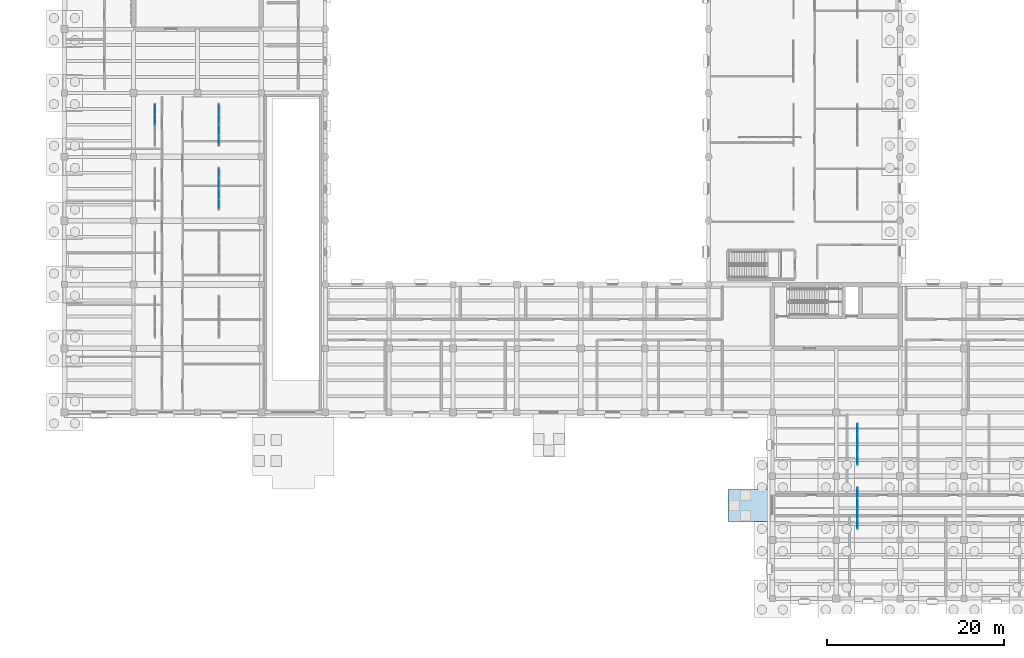
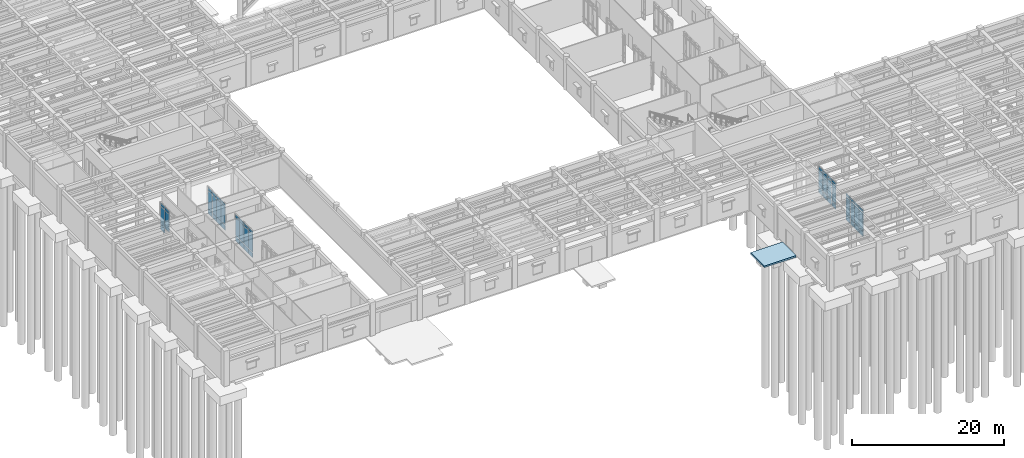
# One storey, part 51 of 100: 53 plates, 1 slab, 5 elements without a shape of their own.
"""IFC4 building model written with IfcOpenShell, lengths in metres."""

import ifcopenshell
import ifcopenshell.guid

model = None  # the IFC model being written
_history = None  # IfcOwnerHistory: only IFC2X3 demands one
_inside = {}  # id of a spatial element -> (the spatial element, [elements in it])
_under = {}  # id of a project, library or spatial element -> (it, [spatial elements below it])
_declared = {}  # id of a project -> (the project, [libraries it declares])
_typed = {}  # id of a type object -> (the type object, [elements of that type])
_made_of = {}  # id of a material, layer set ... -> (it, [elements and type objects made of it])


def new_model(schema):
    """Start an empty IFC model of exactly this schema.

    Asked for "IFC4X3", IfcOpenShell would pick the latest addendum, in which some entities
    have other attributes; the version numbers below select the first issue.
    IFC2X3 requires an IfcOwnerHistory on every rooted entity: one is made here for all.
    """
    global model, _history
    if schema == "IFC4X3":
        model = ifcopenshell.file(schema_version=(4, 3, 0, 0))
    else:
        model = ifcopenshell.file(schema=schema)
    _inside.clear()
    _under.clear()
    _declared.clear()
    _typed.clear()
    _made_of.clear()
    _history = None
    if model.schema == "IFC2X3":
        org = make("IfcOrganization", Name="unknown")
        user = make(
            "IfcPersonAndOrganization",
            ThePerson=make("IfcPerson", FamilyName="unknown"),
            TheOrganization=org,
        )
        app = make(
            "IfcApplication",
            ApplicationDeveloper=org,
            Version="unknown",
            ApplicationFullName="unknown",
            ApplicationIdentifier="unknown",
        )
        _history = make(
            "IfcOwnerHistory",
            OwningUser=user,
            OwningApplication=app,
            ChangeAction="ADDED",
            CreationDate=0,
        )
    return model


def make(cls, **values):
    """One entity of the class cls with the attributes given. An attribute that is None is left unset."""
    return model.create_entity(
        cls, **{name: value for name, value in values.items() if value is not None}
    )


def rooted(cls, **values):
    """An entity with a GlobalId (a new one), such as an element, a storey or a relation."""
    return make(cls, GlobalId=ifcopenshell.guid.new(), OwnerHistory=_history, **values)


def si_unit(unit_type, name, prefix=None):
    """IfcSIUnit, for example si_unit("LENGTHUNIT", "METRE", prefix="MILLI")."""
    return make("IfcSIUnit", UnitType=unit_type, Prefix=prefix, Name=name)


def assignment(units):
    """IfcUnitAssignment: the units of a project."""
    return None if units is None else make("IfcUnitAssignment", Units=units)


def point(xyz):
    """IfcCartesianPoint."""
    return None if xyz is None else make("IfcCartesianPoint", Coordinates=xyz)


def direction(xyz):
    """IfcDirection."""
    return None if xyz is None else make("IfcDirection", DirectionRatios=xyz)


def frame(location, z_axis=None, x_axis=None):
    """IfcAxis2Placement3D, a coordinate frame: its origin and axes. An axis left out is left unset."""
    return make(
        "IfcAxis2Placement3D",
        Location=point(location),
        Axis=direction(z_axis),
        RefDirection=direction(x_axis),
    )


def frame_2d(location, x_axis=None):
    """IfcAxis2Placement2D, a coordinate frame in the plane: its origin and x axis."""
    return make(
        "IfcAxis2Placement2D", Location=point(location), RefDirection=direction(x_axis)
    )


def origin():
    """The frame at (0, 0, 0) with its axes left unset."""
    return frame((0.0, 0.0, 0.0))


def origin_2d():
    """The frame at (0, 0) in the plane with its x axis left unset."""
    return frame_2d((0.0, 0.0))


def place(relative_to, where):
    """IfcLocalPlacement: puts the frame where relative to a parent placement (None: the world)."""
    return make(
        "IfcLocalPlacement", PlacementRelTo=relative_to, RelativePlacement=where
    )


def context(
    kind, dimensions, precision=None, world=None, true_north=None, identifier=None
):
    """IfcGeometricRepresentationContext, for example the 3D "Model" context."""
    return make(
        "IfcGeometricRepresentationContext",
        ContextIdentifier=identifier,
        ContextType=kind,
        CoordinateSpaceDimension=dimensions,
        Precision=precision,
        WorldCoordinateSystem=world,
        TrueNorth=true_north,
    )


def subcontext(parent, identifier, kind, view, scale=None):
    """IfcGeometricRepresentationSubContext, for example "Body" below "Model"."""
    return make(
        "IfcGeometricRepresentationSubContext",
        ContextIdentifier=identifier,
        ContextType=kind,
        ParentContext=parent,
        TargetScale=scale,
        TargetView=view,
    )


def project(units=None, contexts=None):
    """IfcProject with its units and contexts."""
    return rooted(
        "IfcProject",
        Name="project",
        RepresentationContexts=contexts,
        UnitsInContext=assignment(units),
    )


def spatial(cls, under=None, at=None, **own):
    """A site, building, storey or space (cls), placed at a placement, below another one or the project."""
    s = rooted(cls, ObjectPlacement=at, **own)
    if under is not None:
        _under.setdefault(under.id(), (under, []))[1].append(s)
    return s


def polyline(points):
    """IfcPolyline through the points."""
    return make("IfcPolyline", Points=[point(p) for p in points])


def profile(cls, at=None, kind="AREA", **sizes):
    """A parametric profile (cls). Its sizes go by their IFC names, for example OverallWidth=200.0."""
    return make(cls, ProfileType=kind, Position=at, **sizes)


def rectangle(**sizes):
    """IfcRectangleProfileDef."""
    return profile("IfcRectangleProfileDef", **sizes)


def outline(outer, holes=None, kind="AREA"):
    """IfcArbitraryClosedProfileDef: a profile drawn as a closed curve; with holes, ...WithVoids."""
    if holes is None:
        return make("IfcArbitraryClosedProfileDef", ProfileType=kind, OuterCurve=outer)
    return make(
        "IfcArbitraryProfileDefWithVoids",
        ProfileType=kind,
        OuterCurve=outer,
        InnerCurves=holes,
    )


def extrude(swept, where, along, depth):
    """IfcExtrudedAreaSolid: the profile swept, set in the frame where, extruded along a direction by depth."""
    return make(
        "IfcExtrudedAreaSolid",
        SweptArea=swept,
        Position=where,
        ExtrudedDirection=direction(along),
        Depth=depth,
    )


def shape(context_of_items, identifier, shape_type, items):
    """IfcShapeRepresentation: the items that make up one representation, for example the "Body"."""
    return make(
        "IfcShapeRepresentation",
        ContextOfItems=context_of_items,
        RepresentationIdentifier=identifier,
        RepresentationType=shape_type,
        Items=items,
    )


def material(Name=None, Category=None):
    """IfcMaterial."""
    return make("IfcMaterial", Name=Name, Category=Category)


def layer(
    of_material, thickness, ventilated=None, Name=None, Category=None, Priority=None
):
    """IfcMaterialLayer: one layer of a wall or slab, of a material (None: an air gap)."""
    return make(
        "IfcMaterialLayer",
        Material=of_material,
        LayerThickness=thickness,
        IsVentilated=ventilated,
        Name=Name,
        Category=Category,
        Priority=Priority,
    )


def layer_set(layers, Name=None):
    """IfcMaterialLayerSet."""
    return make("IfcMaterialLayerSet", MaterialLayers=layers, LayerSetName=Name)


def made_of(thing, what):
    """Note that an element or type object is made of a material, layer set ...; save() writes the relation."""
    if what is not None:
        _made_of.setdefault(what.id(), (what, []))[1].append(thing)
    return thing


def type_object(cls, material=None, **own):
    """A type object (cls), such as IfcWallType, which elements share."""
    return made_of(rooted(cls, **own), material)


def element(
    cls,
    number,
    at=None,
    inside=None,
    cuts=None,
    type_object=None,
    material=None,
    context=None,
    identifier="Body",
    shape_type=None,
    held_by="IfcProductDefinitionShape",
    body=None,
    shapes=None,
    **own,
):
    """One element of the class cls, such as IfcWall. Its Tag is "e" and its number.

    at: its placement. inside: the storey or other place that contains it. cuts: it is an
    opening in that element (IfcRelVoidsElement). A single representation is given by context,
    identifier, shape_type and body (its items); several are given by shapes. held_by: the class
    of the entity that holds the representations. save() writes the other relations.
    """
    e = rooted(cls, Tag="e%d" % number, ObjectPlacement=at, **own)
    if body is not None:
        shapes = [shape(context, identifier, shape_type, body)]
    if shapes is not None:
        e.Representation = make(held_by, Representations=shapes)
    if inside is not None:
        _inside.setdefault(inside.id(), (inside, []))[1].append(e)
    if cuts is not None:
        rooted(
            "IfcRelVoidsElement", RelatingBuildingElement=cuts, RelatedOpeningElement=e
        )
    if type_object is not None:
        _typed.setdefault(type_object.id(), (type_object, []))[1].append(e)
    return made_of(e, material)


def aggregate(whole, parts):
    """IfcRelAggregates: a whole, such as a stair, and the parts it consists of."""
    return rooted("IfcRelAggregates", RelatingObject=whole, RelatedObjects=parts)


def save(model, path):
    """Write the relations noted so far, then the file.

    IfcRelAggregates (storeys below a building ...), IfcRelContainedInSpatialStructure (elements
    in a storey), IfcRelDefinesByType, IfcRelAssociatesMaterial and IfcRelDeclares: one each for
    every whole, place, type object, material and project.
    """
    for whole, parts in _under.values():
        aggregate(whole, parts)
    for where, things in _inside.values():
        rooted(
            "IfcRelContainedInSpatialStructure",
            RelatedElements=things,
            RelatingStructure=where,
        )
    for kind, things in _typed.values():
        rooted("IfcRelDefinesByType", RelatedObjects=things, RelatingType=kind)
    for what, things in _made_of.values():
        rooted("IfcRelAssociatesMaterial", RelatedObjects=things, RelatingMaterial=what)
    for by, libraries in _declared.values():
        rooted("IfcRelDeclares", RelatingContext=by, RelatedDefinitions=libraries)
    model.write(path)


model = new_model("IFC4")

# Units and contexts
model_context = context("Model", 3, precision=1e-05, world=origin(), true_north=direction((0.0, 1.0)))
body_context = subcontext(model_context, "Body", "Model", "MODEL_VIEW")
ifc_project = project(units=[si_unit("LENGTHUNIT", "METRE"), si_unit("AREAUNIT", "SQUARE_METRE"), si_unit("VOLUMEUNIT", "CUBIC_METRE"), si_unit("PLANEANGLEUNIT", "RADIAN"), si_unit("MASSUNIT", "GRAM", prefix="KILO")], contexts=[model_context])

# Site, building, storey
site_placement = place(None, origin())
site = spatial("IfcSite", under=ifc_project, at=site_placement, CompositionType="ELEMENT")
building_placement = place(site_placement, origin())
building = spatial("IfcBuilding", under=site, at=building_placement, Name="Mithqara Police Headquarters", CompositionType="ELEMENT")
storey_placement = place(building_placement, origin())
storey = spatial("IfcBuildingStorey", under=building, at=storey_placement, Name="L00", CompositionType="ELEMENT", Elevation=0.0)

# Curtain wall, plates
ifc_material_1 = material(Name="Bronze anodised aluminium 6063-T6", Category="aluminium")
curtain_wall_type = type_object("IfcCurtainWallType", Name="CURTAIN WALL 4700X4400", PredefinedType="USERDEFINED", material=ifc_material_1)
curtain_wall_1_placement = place(storey_placement, origin())
curtain_wall_1 = element("IfcCurtainWall", 1, at=curtain_wall_1_placement, inside=storey, type_object=curtain_wall_type, Name="L00 Unitised Glazing CW-14 (CW-INT-L00-X01-Y07-0)", ObjectType="UNITISED GLAZING", PredefinedType="USERDEFINED")
ifc_material_2 = material(Name="Spectrally selective double low-e glass", Category="glass")
ifc_layer_1 = layer(ifc_material_2, 0.028076171875, Name="Spectrally selective double low-e glass")
ifc_layer_set_1 = layer_set([ifc_layer_1], Name="Spectrally selective double low-e glass")
plate_type = type_object("IfcPlateType", Name="CWPANEL GLASS28", PredefinedType="CURTAIN_PANEL", material=ifc_layer_set_1)
plate_1_placement = place(storey_placement, frame((10.199951171875, 53.987548828125, 0.9375), z_axis=(0.0, 0.0, 1.0), x_axis=(0.0, 1.0, 0.0)))
plate_1 = element("IfcPlate", 2, at=plate_1_placement, type_object=plate_type, Name="CW-14 panel 3.2", PredefinedType="CURTAIN_PANEL", context=body_context, shape_type="SweptSolid", body=[
    extrude(rectangle(XDim=1.10009765625, YDim=0.028076171875, at=origin_2d()), origin(), (0.0, 0.0, 1.0), 2.875),
])
plate_2_placement = place(storey_placement, frame((10.199951171875, 53.987548828125, 3.887451171875), z_axis=(0.0, 0.0, 1.0), x_axis=(0.0, 1.0, 0.0)))
plate_2 = element("IfcPlate", 3, at=plate_2_placement, type_object=plate_type, Name="CW-14 panel 3.3", PredefinedType="CURTAIN_PANEL", context=body_context, shape_type="SweptSolid", body=[
    extrude(rectangle(XDim=1.10009765625, YDim=0.028076171875, at=origin_2d()), origin(), (0.0, 0.0, 1.0), 0.4375),
])
plate_3_placement = place(storey_placement, frame((10.199951171875, 55.143798828125, 0.074951171875), z_axis=(0.0, 0.0, 1.0), x_axis=(0.0, 1.0, 0.0)))
plate_3 = element("IfcPlate", 4, at=plate_3_placement, type_object=plate_type, Name="CW-14 panel 4.1", PredefinedType="CURTAIN_PANEL", context=body_context, shape_type="SweptSolid", body=[
    extrude(rectangle(XDim=1.0625, YDim=0.028076171875, at=origin_2d()), origin(), (0.0, 0.0, 1.0), 0.78759765625),
])
plate_4_placement = place(storey_placement, frame((10.199951171875, 55.143798828125, 0.9375), z_axis=(0.0, 0.0, 1.0), x_axis=(0.0, 1.0, 0.0)))
plate_4 = element("IfcPlate", 5, at=plate_4_placement, type_object=plate_type, Name="CW-14 panel 4.2", PredefinedType="CURTAIN_PANEL", context=body_context, shape_type="SweptSolid", body=[
    extrude(rectangle(XDim=1.0625, YDim=0.028076171875, at=origin_2d()), origin(), (0.0, 0.0, 1.0), 2.875),
])
plate_5_placement = place(storey_placement, frame((10.199951171875, 55.143798828125, 3.887451171875), z_axis=(0.0, 0.0, 1.0), x_axis=(0.0, 1.0, 0.0)))
plate_5 = element("IfcPlate", 6, at=plate_5_placement, type_object=plate_type, Name="CW-14 panel 4.3", PredefinedType="CURTAIN_PANEL", context=body_context, shape_type="SweptSolid", body=[
    extrude(rectangle(XDim=1.0625, YDim=0.028076171875, at=origin_2d()), origin(), (0.0, 0.0, 1.0), 0.4375),
])
aggregate(curtain_wall_1, [plate_1, plate_2, plate_3, plate_4, plate_5])

curtain_wall_2_placement = place(storey_placement, origin())
curtain_wall_2 = element("IfcCurtainWall", 7, at=curtain_wall_2_placement, inside=storey, type_object=curtain_wall_type, Name="L00 Unitised Glazing CW-14 (CW-INT-L00-X02-Y06-0)", ObjectType="UNITISED GLAZING", PredefinedType="USERDEFINED")
plate_6_placement = place(storey_placement, frame((17.39990234375, 44.456298828125, 0.074951171875), z_axis=(0.0, 0.0, 1.0), x_axis=(0.0, 1.0, 0.0)))
plate_6 = element("IfcPlate", 8, at=plate_6_placement, type_object=plate_type, Name="CW-14 panel 1.1", PredefinedType="CURTAIN_PANEL", context=body_context, shape_type="SweptSolid", body=[
    extrude(rectangle(XDim=1.0625, YDim=0.028076171875, at=origin_2d()), origin(), (0.0, 0.0, 1.0), 0.78759765625),
])
plate_7_placement = place(storey_placement, frame((17.39990234375, 44.456298828125, 0.9375), z_axis=(0.0, 0.0, 1.0), x_axis=(0.0, 1.0, 0.0)))
plate_7 = element("IfcPlate", 9, at=plate_7_placement, type_object=plate_type, Name="CW-14 panel 1.2", PredefinedType="CURTAIN_PANEL", context=body_context, shape_type="SweptSolid", body=[
    extrude(rectangle(XDim=1.0625, YDim=0.028076171875, at=origin_2d()), origin(), (0.0, 0.0, 1.0), 2.875),
])
plate_8_placement = place(storey_placement, frame((17.39990234375, 44.456298828125, 3.887451171875), z_axis=(0.0, 0.0, 1.0), x_axis=(0.0, 1.0, 0.0)))
plate_8 = element("IfcPlate", 10, at=plate_8_placement, type_object=plate_type, Name="CW-14 panel 1.3", PredefinedType="CURTAIN_PANEL", context=body_context, shape_type="SweptSolid", body=[
    extrude(rectangle(XDim=1.0625, YDim=0.028076171875, at=origin_2d()), origin(), (0.0, 0.0, 1.0), 0.4375),
])
plate_9_placement = place(storey_placement, frame((17.39990234375, 45.612548828125, 0.074951171875), z_axis=(0.0, 0.0, 1.0), x_axis=(0.0, 1.0, 0.0)))
plate_9 = element("IfcPlate", 11, at=plate_9_placement, type_object=plate_type, Name="CW-14 panel 2.1", PredefinedType="CURTAIN_PANEL", context=body_context, shape_type="SweptSolid", body=[
    extrude(rectangle(XDim=1.10009765625, YDim=0.028076171875, at=origin_2d()), origin(), (0.0, 0.0, 1.0), 0.78759765625),
])
plate_10_placement = place(storey_placement, frame((17.39990234375, 45.612548828125, 0.9375), z_axis=(0.0, 0.0, 1.0), x_axis=(0.0, 1.0, 0.0)))
plate_10 = element("IfcPlate", 12, at=plate_10_placement, type_object=plate_type, Name="CW-14 panel 2.2", PredefinedType="CURTAIN_PANEL", context=body_context, shape_type="SweptSolid", body=[
    extrude(rectangle(XDim=1.10009765625, YDim=0.028076171875, at=origin_2d()), origin(), (0.0, 0.0, 1.0), 2.875),
])
plate_11_placement = place(storey_placement, frame((17.39990234375, 45.612548828125, 3.887451171875), z_axis=(0.0, 0.0, 1.0), x_axis=(0.0, 1.0, 0.0)))
plate_11 = element("IfcPlate", 13, at=plate_11_placement, type_object=plate_type, Name="CW-14 panel 2.3", PredefinedType="CURTAIN_PANEL", context=body_context, shape_type="SweptSolid", body=[
    extrude(rectangle(XDim=1.10009765625, YDim=0.028076171875, at=origin_2d()), origin(), (0.0, 0.0, 1.0), 0.4375),
])
plate_12_placement = place(storey_placement, frame((17.39990234375, 46.78759765625, 0.074951171875), z_axis=(0.0, 0.0, 1.0), x_axis=(0.0, 1.0, 0.0)))
plate_12 = element("IfcPlate", 14, at=plate_12_placement, type_object=plate_type, Name="CW-14 panel 3.1", PredefinedType="CURTAIN_PANEL", context=body_context, shape_type="SweptSolid", body=[
    extrude(rectangle(XDim=1.10009765625, YDim=0.028076171875, at=origin_2d()), origin(), (0.0, 0.0, 1.0), 0.78759765625),
])
plate_13_placement = place(storey_placement, frame((17.39990234375, 46.78759765625, 0.9375), z_axis=(0.0, 0.0, 1.0), x_axis=(0.0, 1.0, 0.0)))
plate_13 = element("IfcPlate", 15, at=plate_13_placement, type_object=plate_type, Name="CW-14 panel 3.2", PredefinedType="CURTAIN_PANEL", context=body_context, shape_type="SweptSolid", body=[
    extrude(rectangle(XDim=1.10009765625, YDim=0.028076171875, at=origin_2d()), origin(), (0.0, 0.0, 1.0), 2.875),
])
plate_14_placement = place(storey_placement, frame((17.39990234375, 46.78759765625, 3.887451171875), z_axis=(0.0, 0.0, 1.0), x_axis=(0.0, 1.0, 0.0)))
plate_14 = element("IfcPlate", 16, at=plate_14_placement, type_object=plate_type, Name="CW-14 panel 3.3", PredefinedType="CURTAIN_PANEL", context=body_context, shape_type="SweptSolid", body=[
    extrude(rectangle(XDim=1.10009765625, YDim=0.028076171875, at=origin_2d()), origin(), (0.0, 0.0, 1.0), 0.4375),
])
plate_15_placement = place(storey_placement, frame((17.39990234375, 47.94384765625, 0.074951171875), z_axis=(0.0, 0.0, 1.0), x_axis=(0.0, 1.0, 0.0)))
plate_15 = element("IfcPlate", 17, at=plate_15_placement, type_object=plate_type, Name="CW-14 panel 4.1", PredefinedType="CURTAIN_PANEL", context=body_context, shape_type="SweptSolid", body=[
    extrude(rectangle(XDim=1.0625, YDim=0.028076171875, at=origin_2d()), origin(), (0.0, 0.0, 1.0), 0.78759765625),
])
plate_16_placement = place(storey_placement, frame((17.39990234375, 47.94384765625, 0.9375), z_axis=(0.0, 0.0, 1.0), x_axis=(0.0, 1.0, 0.0)))
plate_16 = element("IfcPlate", 18, at=plate_16_placement, type_object=plate_type, Name="CW-14 panel 4.2", PredefinedType="CURTAIN_PANEL", context=body_context, shape_type="SweptSolid", body=[
    extrude(rectangle(XDim=1.0625, YDim=0.028076171875, at=origin_2d()), origin(), (0.0, 0.0, 1.0), 2.875),
])
plate_17_placement = place(storey_placement, frame((17.39990234375, 47.94384765625, 3.887451171875), z_axis=(0.0, 0.0, 1.0), x_axis=(0.0, 1.0, 0.0)))
plate_17 = element("IfcPlate", 19, at=plate_17_placement, type_object=plate_type, Name="CW-14 panel 4.3", PredefinedType="CURTAIN_PANEL", context=body_context, shape_type="SweptSolid", body=[
    extrude(rectangle(XDim=1.0625, YDim=0.028076171875, at=origin_2d()), origin(), (0.0, 0.0, 1.0), 0.4375),
])
aggregate(curtain_wall_2, [plate_6, plate_7, plate_8, plate_9, plate_10, plate_11, plate_12, plate_13, plate_14, plate_15, plate_16, plate_17])

curtain_wall_3_placement = place(storey_placement, origin())
curtain_wall_3 = element("IfcCurtainWall", 20, at=curtain_wall_3_placement, inside=storey, type_object=curtain_wall_type, Name="L00 Unitised Glazing CW-14 (CW-INT-L00-X02-Y07-0)", ObjectType="UNITISED GLAZING", PredefinedType="USERDEFINED")
plate_18_placement = place(storey_placement, frame((17.39990234375, 51.65625, 0.074951171875), z_axis=(0.0, 0.0, 1.0), x_axis=(0.0, 1.0, 0.0)))
plate_18 = element("IfcPlate", 21, at=plate_18_placement, type_object=plate_type, Name="CW-14 panel 1.1", PredefinedType="CURTAIN_PANEL", context=body_context, shape_type="SweptSolid", body=[
    extrude(rectangle(XDim=1.0625, YDim=0.028076171875, at=origin_2d()), origin(), (0.0, 0.0, 1.0), 0.78759765625),
])
plate_19_placement = place(storey_placement, frame((17.39990234375, 51.65625, 0.9375), z_axis=(0.0, 0.0, 1.0), x_axis=(0.0, 1.0, 0.0)))
plate_19 = element("IfcPlate", 22, at=plate_19_placement, type_object=plate_type, Name="CW-14 panel 1.2", PredefinedType="CURTAIN_PANEL", context=body_context, shape_type="SweptSolid", body=[
    extrude(rectangle(XDim=1.0625, YDim=0.028076171875, at=origin_2d()), origin(), (0.0, 0.0, 1.0), 2.875),
])
plate_20_placement = place(storey_placement, frame((17.39990234375, 51.65625, 3.887451171875), z_axis=(0.0, 0.0, 1.0), x_axis=(0.0, 1.0, 0.0)))
plate_20 = element("IfcPlate", 23, at=plate_20_placement, type_object=plate_type, Name="CW-14 panel 1.3", PredefinedType="CURTAIN_PANEL", context=body_context, shape_type="SweptSolid", body=[
    extrude(rectangle(XDim=1.0625, YDim=0.028076171875, at=origin_2d()), origin(), (0.0, 0.0, 1.0), 0.4375),
])
plate_21_placement = place(storey_placement, frame((17.39990234375, 52.8125, 0.074951171875), z_axis=(0.0, 0.0, 1.0), x_axis=(0.0, 1.0, 0.0)))
plate_21 = element("IfcPlate", 24, at=plate_21_placement, type_object=plate_type, Name="CW-14 panel 2.1", PredefinedType="CURTAIN_PANEL", context=body_context, shape_type="SweptSolid", body=[
    extrude(rectangle(XDim=1.10009765625, YDim=0.028076171875, at=origin_2d()), origin(), (0.0, 0.0, 1.0), 0.78759765625),
])
plate_22_placement = place(storey_placement, frame((17.39990234375, 52.8125, 0.9375), z_axis=(0.0, 0.0, 1.0), x_axis=(0.0, 1.0, 0.0)))
plate_22 = element("IfcPlate", 25, at=plate_22_placement, type_object=plate_type, Name="CW-14 panel 2.2", PredefinedType="CURTAIN_PANEL", context=body_context, shape_type="SweptSolid", body=[
    extrude(rectangle(XDim=1.10009765625, YDim=0.028076171875, at=origin_2d()), origin(), (0.0, 0.0, 1.0), 2.875),
])
plate_23_placement = place(storey_placement, frame((17.39990234375, 52.8125, 3.887451171875), z_axis=(0.0, 0.0, 1.0), x_axis=(0.0, 1.0, 0.0)))
plate_23 = element("IfcPlate", 26, at=plate_23_placement, type_object=plate_type, Name="CW-14 panel 2.3", PredefinedType="CURTAIN_PANEL", context=body_context, shape_type="SweptSolid", body=[
    extrude(rectangle(XDim=1.10009765625, YDim=0.028076171875, at=origin_2d()), origin(), (0.0, 0.0, 1.0), 0.4375),
])
plate_24_placement = place(storey_placement, frame((17.39990234375, 53.987548828125, 0.074951171875), z_axis=(0.0, 0.0, 1.0), x_axis=(0.0, 1.0, 0.0)))
plate_24 = element("IfcPlate", 27, at=plate_24_placement, type_object=plate_type, Name="CW-14 panel 3.1", PredefinedType="CURTAIN_PANEL", context=body_context, shape_type="SweptSolid", body=[
    extrude(rectangle(XDim=1.10009765625, YDim=0.028076171875, at=origin_2d()), origin(), (0.0, 0.0, 1.0), 0.78759765625),
])
plate_25_placement = place(storey_placement, frame((17.39990234375, 53.987548828125, 0.9375), z_axis=(0.0, 0.0, 1.0), x_axis=(0.0, 1.0, 0.0)))
plate_25 = element("IfcPlate", 28, at=plate_25_placement, type_object=plate_type, Name="CW-14 panel 3.2", PredefinedType="CURTAIN_PANEL", context=body_context, shape_type="SweptSolid", body=[
    extrude(rectangle(XDim=1.10009765625, YDim=0.028076171875, at=origin_2d()), origin(), (0.0, 0.0, 1.0), 2.875),
])
plate_26_placement = place(storey_placement, frame((17.39990234375, 53.987548828125, 3.887451171875), z_axis=(0.0, 0.0, 1.0), x_axis=(0.0, 1.0, 0.0)))
plate_26 = element("IfcPlate", 29, at=plate_26_placement, type_object=plate_type, Name="CW-14 panel 3.3", PredefinedType="CURTAIN_PANEL", context=body_context, shape_type="SweptSolid", body=[
    extrude(rectangle(XDim=1.10009765625, YDim=0.028076171875, at=origin_2d()), origin(), (0.0, 0.0, 1.0), 0.4375),
])
plate_27_placement = place(storey_placement, frame((17.39990234375, 55.143798828125, 0.074951171875), z_axis=(0.0, 0.0, 1.0), x_axis=(0.0, 1.0, 0.0)))
plate_27 = element("IfcPlate", 30, at=plate_27_placement, type_object=plate_type, Name="CW-14 panel 4.1", PredefinedType="CURTAIN_PANEL", context=body_context, shape_type="SweptSolid", body=[
    extrude(rectangle(XDim=1.0625, YDim=0.028076171875, at=origin_2d()), origin(), (0.0, 0.0, 1.0), 0.78759765625),
])
plate_28_placement = place(storey_placement, frame((17.39990234375, 55.143798828125, 0.9375), z_axis=(0.0, 0.0, 1.0), x_axis=(0.0, 1.0, 0.0)))
plate_28 = element("IfcPlate", 31, at=plate_28_placement, type_object=plate_type, Name="CW-14 panel 4.2", PredefinedType="CURTAIN_PANEL", context=body_context, shape_type="SweptSolid", body=[
    extrude(rectangle(XDim=1.0625, YDim=0.028076171875, at=origin_2d()), origin(), (0.0, 0.0, 1.0), 2.875),
])
plate_29_placement = place(storey_placement, frame((17.39990234375, 55.143798828125, 3.887451171875), z_axis=(0.0, 0.0, 1.0), x_axis=(0.0, 1.0, 0.0)))
plate_29 = element("IfcPlate", 32, at=plate_29_placement, type_object=plate_type, Name="CW-14 panel 4.3", PredefinedType="CURTAIN_PANEL", context=body_context, shape_type="SweptSolid", body=[
    extrude(rectangle(XDim=1.0625, YDim=0.028076171875, at=origin_2d()), origin(), (0.0, 0.0, 1.0), 0.4375),
])
aggregate(curtain_wall_3, [plate_18, plate_19, plate_20, plate_21, plate_22, plate_23, plate_24, plate_25, plate_26, plate_27, plate_28, plate_29])

curtain_wall_4_placement = place(storey_placement, origin())
curtain_wall_4 = element("IfcCurtainWall", 33, at=curtain_wall_4_placement, inside=storey, type_object=curtain_wall_type, Name="L00 Unitised Glazing CW-14 (CW-INT-L00-X12-Y01-0)", ObjectType="UNITISED GLAZING", PredefinedType="USERDEFINED")
plate_30_placement = place(storey_placement, frame((89.39990234375, 8.456298828125, 0.074951171875), z_axis=(0.0, 0.0, 1.0), x_axis=(0.0, 1.0, 0.0)))
plate_30 = element("IfcPlate", 34, at=plate_30_placement, type_object=plate_type, Name="CW-14 panel 1.1", PredefinedType="CURTAIN_PANEL", context=body_context, shape_type="SweptSolid", body=[
    extrude(rectangle(XDim=1.0625, YDim=0.028076171875, at=origin_2d()), origin(), (0.0, 0.0, 1.0), 0.78759765625),
])
plate_31_placement = place(storey_placement, frame((89.39990234375, 8.456298828125, 0.9375), z_axis=(0.0, 0.0, 1.0), x_axis=(0.0, 1.0, 0.0)))
plate_31 = element("IfcPlate", 35, at=plate_31_placement, type_object=plate_type, Name="CW-14 panel 1.2", PredefinedType="CURTAIN_PANEL", context=body_context, shape_type="SweptSolid", body=[
    extrude(rectangle(XDim=1.0625, YDim=0.028076171875, at=origin_2d()), origin(), (0.0, 0.0, 1.0), 2.875),
])
plate_32_placement = place(storey_placement, frame((89.39990234375, 8.456298828125, 3.887451171875), z_axis=(0.0, 0.0, 1.0), x_axis=(0.0, 1.0, 0.0)))
plate_32 = element("IfcPlate", 36, at=plate_32_placement, type_object=plate_type, Name="CW-14 panel 1.3", PredefinedType="CURTAIN_PANEL", context=body_context, shape_type="SweptSolid", body=[
    extrude(rectangle(XDim=1.0625, YDim=0.028076171875, at=origin_2d()), origin(), (0.0, 0.0, 1.0), 0.4375),
])
plate_33_placement = place(storey_placement, frame((89.39990234375, 9.612548828125, 0.074951171875), z_axis=(0.0, 0.0, 1.0), x_axis=(0.0, 1.0, 0.0)))
plate_33 = element("IfcPlate", 37, at=plate_33_placement, type_object=plate_type, Name="CW-14 panel 2.1", PredefinedType="CURTAIN_PANEL", context=body_context, shape_type="SweptSolid", body=[
    extrude(rectangle(XDim=1.10009765625, YDim=0.028076171875, at=origin_2d()), origin(), (0.0, 0.0, 1.0), 0.78759765625),
])
plate_34_placement = place(storey_placement, frame((89.39990234375, 9.612548828125, 0.9375), z_axis=(0.0, 0.0, 1.0), x_axis=(0.0, 1.0, 0.0)))
plate_34 = element("IfcPlate", 38, at=plate_34_placement, type_object=plate_type, Name="CW-14 panel 2.2", PredefinedType="CURTAIN_PANEL", context=body_context, shape_type="SweptSolid", body=[
    extrude(rectangle(XDim=1.10009765625, YDim=0.028076171875, at=origin_2d()), origin(), (0.0, 0.0, 1.0), 2.875),
])
plate_35_placement = place(storey_placement, frame((89.39990234375, 9.612548828125, 3.887451171875), z_axis=(0.0, 0.0, 1.0), x_axis=(0.0, 1.0, 0.0)))
plate_35 = element("IfcPlate", 39, at=plate_35_placement, type_object=plate_type, Name="CW-14 panel 2.3", PredefinedType="CURTAIN_PANEL", context=body_context, shape_type="SweptSolid", body=[
    extrude(rectangle(XDim=1.10009765625, YDim=0.028076171875, at=origin_2d()), origin(), (0.0, 0.0, 1.0), 0.4375),
])
plate_36_placement = place(storey_placement, frame((89.39990234375, 10.78759765625, 0.074951171875), z_axis=(0.0, 0.0, 1.0), x_axis=(0.0, 1.0, 0.0)))
plate_36 = element("IfcPlate", 40, at=plate_36_placement, type_object=plate_type, Name="CW-14 panel 3.1", PredefinedType="CURTAIN_PANEL", context=body_context, shape_type="SweptSolid", body=[
    extrude(rectangle(XDim=1.10009765625, YDim=0.028076171875, at=origin_2d()), origin(), (0.0, 0.0, 1.0), 0.78759765625),
])
plate_37_placement = place(storey_placement, frame((89.39990234375, 10.78759765625, 0.9375), z_axis=(0.0, 0.0, 1.0), x_axis=(0.0, 1.0, 0.0)))
plate_37 = element("IfcPlate", 41, at=plate_37_placement, type_object=plate_type, Name="CW-14 panel 3.2", PredefinedType="CURTAIN_PANEL", context=body_context, shape_type="SweptSolid", body=[
    extrude(rectangle(XDim=1.10009765625, YDim=0.028076171875, at=origin_2d()), origin(), (0.0, 0.0, 1.0), 2.875),
])
plate_38_placement = place(storey_placement, frame((89.39990234375, 10.78759765625, 3.887451171875), z_axis=(0.0, 0.0, 1.0), x_axis=(0.0, 1.0, 0.0)))
plate_38 = element("IfcPlate", 42, at=plate_38_placement, type_object=plate_type, Name="CW-14 panel 3.3", PredefinedType="CURTAIN_PANEL", context=body_context, shape_type="SweptSolid", body=[
    extrude(rectangle(XDim=1.10009765625, YDim=0.028076171875, at=origin_2d()), origin(), (0.0, 0.0, 1.0), 0.4375),
])
plate_39_placement = place(storey_placement, frame((89.39990234375, 11.94384765625, 0.074951171875), z_axis=(0.0, 0.0, 1.0), x_axis=(0.0, 1.0, 0.0)))
plate_39 = element("IfcPlate", 43, at=plate_39_placement, type_object=plate_type, Name="CW-14 panel 4.1", PredefinedType="CURTAIN_PANEL", context=body_context, shape_type="SweptSolid", body=[
    extrude(rectangle(XDim=1.0625, YDim=0.028076171875, at=origin_2d()), origin(), (0.0, 0.0, 1.0), 0.78759765625),
])
plate_40_placement = place(storey_placement, frame((89.39990234375, 11.94384765625, 0.9375), z_axis=(0.0, 0.0, 1.0), x_axis=(0.0, 1.0, 0.0)))
plate_40 = element("IfcPlate", 44, at=plate_40_placement, type_object=plate_type, Name="CW-14 panel 4.2", PredefinedType="CURTAIN_PANEL", context=body_context, shape_type="SweptSolid", body=[
    extrude(rectangle(XDim=1.0625, YDim=0.028076171875, at=origin_2d()), origin(), (0.0, 0.0, 1.0), 2.875),
])
plate_41_placement = place(storey_placement, frame((89.39990234375, 11.94384765625, 3.887451171875), z_axis=(0.0, 0.0, 1.0), x_axis=(0.0, 1.0, 0.0)))
plate_41 = element("IfcPlate", 45, at=plate_41_placement, type_object=plate_type, Name="CW-14 panel 4.3", PredefinedType="CURTAIN_PANEL", context=body_context, shape_type="SweptSolid", body=[
    extrude(rectangle(XDim=1.0625, YDim=0.028076171875, at=origin_2d()), origin(), (0.0, 0.0, 1.0), 0.4375),
])
aggregate(curtain_wall_4, [plate_30, plate_31, plate_32, plate_33, plate_34, plate_35, plate_36, plate_37, plate_38, plate_39, plate_40, plate_41])

curtain_wall_5_placement = place(storey_placement, origin())
curtain_wall_5 = element("IfcCurtainWall", 46, at=curtain_wall_5_placement, inside=storey, type_object=curtain_wall_type, Name="L00 Unitised Glazing CW-14 (CW-INT-L00-X12-Y02-0)", ObjectType="UNITISED GLAZING", PredefinedType="USERDEFINED")
plate_42_placement = place(storey_placement, frame((89.39990234375, 15.65625, 0.074951171875), z_axis=(0.0, 0.0, 1.0), x_axis=(0.0, 1.0, 0.0)))
plate_42 = element("IfcPlate", 47, at=plate_42_placement, type_object=plate_type, Name="CW-14 panel 1.1", PredefinedType="CURTAIN_PANEL", context=body_context, shape_type="SweptSolid", body=[
    extrude(rectangle(XDim=1.0625, YDim=0.028076171875, at=origin_2d()), origin(), (0.0, 0.0, 1.0), 0.78759765625),
])
plate_43_placement = place(storey_placement, frame((89.39990234375, 15.65625, 0.9375), z_axis=(0.0, 0.0, 1.0), x_axis=(0.0, 1.0, 0.0)))
plate_43 = element("IfcPlate", 48, at=plate_43_placement, type_object=plate_type, Name="CW-14 panel 1.2", PredefinedType="CURTAIN_PANEL", context=body_context, shape_type="SweptSolid", body=[
    extrude(rectangle(XDim=1.0625, YDim=0.028076171875, at=origin_2d()), origin(), (0.0, 0.0, 1.0), 2.875),
])
plate_44_placement = place(storey_placement, frame((89.39990234375, 15.65625, 3.887451171875), z_axis=(0.0, 0.0, 1.0), x_axis=(0.0, 1.0, 0.0)))
plate_44 = element("IfcPlate", 49, at=plate_44_placement, type_object=plate_type, Name="CW-14 panel 1.3", PredefinedType="CURTAIN_PANEL", context=body_context, shape_type="SweptSolid", body=[
    extrude(rectangle(XDim=1.0625, YDim=0.028076171875, at=origin_2d()), origin(), (0.0, 0.0, 1.0), 0.4375),
])
plate_45_placement = place(storey_placement, frame((89.39990234375, 16.8125, 0.074951171875), z_axis=(0.0, 0.0, 1.0), x_axis=(0.0, 1.0, 0.0)))
plate_45 = element("IfcPlate", 50, at=plate_45_placement, type_object=plate_type, Name="CW-14 panel 2.1", PredefinedType="CURTAIN_PANEL", context=body_context, shape_type="SweptSolid", body=[
    extrude(rectangle(XDim=1.10009765625, YDim=0.028076171875, at=origin_2d()), origin(), (0.0, 0.0, 1.0), 0.78759765625),
])
plate_46_placement = place(storey_placement, frame((89.39990234375, 16.8125, 0.9375), z_axis=(0.0, 0.0, 1.0), x_axis=(0.0, 1.0, 0.0)))
plate_46 = element("IfcPlate", 51, at=plate_46_placement, type_object=plate_type, Name="CW-14 panel 2.2", PredefinedType="CURTAIN_PANEL", context=body_context, shape_type="SweptSolid", body=[
    extrude(rectangle(XDim=1.10009765625, YDim=0.028076171875, at=origin_2d()), origin(), (0.0, 0.0, 1.0), 2.875),
])
plate_47_placement = place(storey_placement, frame((89.39990234375, 16.8125, 3.887451171875), z_axis=(0.0, 0.0, 1.0), x_axis=(0.0, 1.0, 0.0)))
plate_47 = element("IfcPlate", 52, at=plate_47_placement, type_object=plate_type, Name="CW-14 panel 2.3", PredefinedType="CURTAIN_PANEL", context=body_context, shape_type="SweptSolid", body=[
    extrude(rectangle(XDim=1.10009765625, YDim=0.028076171875, at=origin_2d()), origin(), (0.0, 0.0, 1.0), 0.4375),
])
plate_48_placement = place(storey_placement, frame((89.39990234375, 17.987548828125, 0.074951171875), z_axis=(0.0, 0.0, 1.0), x_axis=(0.0, 1.0, 0.0)))
plate_48 = element("IfcPlate", 53, at=plate_48_placement, type_object=plate_type, Name="CW-14 panel 3.1", PredefinedType="CURTAIN_PANEL", context=body_context, shape_type="SweptSolid", body=[
    extrude(rectangle(XDim=1.10009765625, YDim=0.028076171875, at=origin_2d()), origin(), (0.0, 0.0, 1.0), 0.78759765625),
])
plate_49_placement = place(storey_placement, frame((89.39990234375, 17.987548828125, 0.9375), z_axis=(0.0, 0.0, 1.0), x_axis=(0.0, 1.0, 0.0)))
plate_49 = element("IfcPlate", 54, at=plate_49_placement, type_object=plate_type, Name="CW-14 panel 3.2", PredefinedType="CURTAIN_PANEL", context=body_context, shape_type="SweptSolid", body=[
    extrude(rectangle(XDim=1.10009765625, YDim=0.028076171875, at=origin_2d()), origin(), (0.0, 0.0, 1.0), 2.875),
])
plate_50_placement = place(storey_placement, frame((89.39990234375, 17.987548828125, 3.887451171875), z_axis=(0.0, 0.0, 1.0), x_axis=(0.0, 1.0, 0.0)))
plate_50 = element("IfcPlate", 55, at=plate_50_placement, type_object=plate_type, Name="CW-14 panel 3.3", PredefinedType="CURTAIN_PANEL", context=body_context, shape_type="SweptSolid", body=[
    extrude(rectangle(XDim=1.10009765625, YDim=0.028076171875, at=origin_2d()), origin(), (0.0, 0.0, 1.0), 0.4375),
])
plate_51_placement = place(storey_placement, frame((89.39990234375, 19.143798828125, 0.074951171875), z_axis=(0.0, 0.0, 1.0), x_axis=(0.0, 1.0, 0.0)))
plate_51 = element("IfcPlate", 56, at=plate_51_placement, type_object=plate_type, Name="CW-14 panel 4.1", PredefinedType="CURTAIN_PANEL", context=body_context, shape_type="SweptSolid", body=[
    extrude(rectangle(XDim=1.0625, YDim=0.028076171875, at=origin_2d()), origin(), (0.0, 0.0, 1.0), 0.78759765625),
])
plate_52_placement = place(storey_placement, frame((89.39990234375, 19.143798828125, 0.9375), z_axis=(0.0, 0.0, 1.0), x_axis=(0.0, 1.0, 0.0)))
plate_52 = element("IfcPlate", 57, at=plate_52_placement, type_object=plate_type, Name="CW-14 panel 4.2", PredefinedType="CURTAIN_PANEL", context=body_context, shape_type="SweptSolid", body=[
    extrude(rectangle(XDim=1.0625, YDim=0.028076171875, at=origin_2d()), origin(), (0.0, 0.0, 1.0), 2.875),
])
plate_53_placement = place(storey_placement, frame((89.39990234375, 19.143798828125, 3.887451171875), z_axis=(0.0, 0.0, 1.0), x_axis=(0.0, 1.0, 0.0)))
plate_53 = element("IfcPlate", 58, at=plate_53_placement, type_object=plate_type, Name="CW-14 panel 4.3", PredefinedType="CURTAIN_PANEL", context=body_context, shape_type="SweptSolid", body=[
    extrude(rectangle(XDim=1.0625, YDim=0.028076171875, at=origin_2d()), origin(), (0.0, 0.0, 1.0), 0.4375),
])
aggregate(curtain_wall_5, [plate_42, plate_43, plate_44, plate_45, plate_46, plate_47, plate_48, plate_49, plate_50, plate_51, plate_52, plate_53])

# Slab
ifc_material_3 = material(Name="Concrete C40/50", Category="concrete")
ifc_layer_2 = layer(ifc_material_3, 0.260009765625, Name="Concrete C40/50")
ifc_layer_set_2 = layer_set([ifc_layer_2], Name="Concrete C40/50")
slab_type = type_object("IfcSlabType", Name="PAVING SLAB 260", PredefinedType="FLOOR", material=ifc_layer_set_2)
slab_placement = place(storey_placement, frame((0.0, 0.0, -0.260009765625)))
element("IfcSlab", 59, at=slab_placement, inside=storey, type_object=slab_type, Name="Ground Exit Threshold Apron 1", PredefinedType="FLOOR", context=body_context, shape_type="SweptSolid", body=[
    extrude(outline(polyline([(79.639892578125, 8.699951171875), (74.7900390625, 8.699951171875), (74.7900390625, 12.300048828125), (79.639892578125, 12.300048828125), (79.639892578125, 8.699951171875)])), origin(), (0.0, 0.0, 1.0), 0.260009765625),
])

save(model, "model.ifc")
